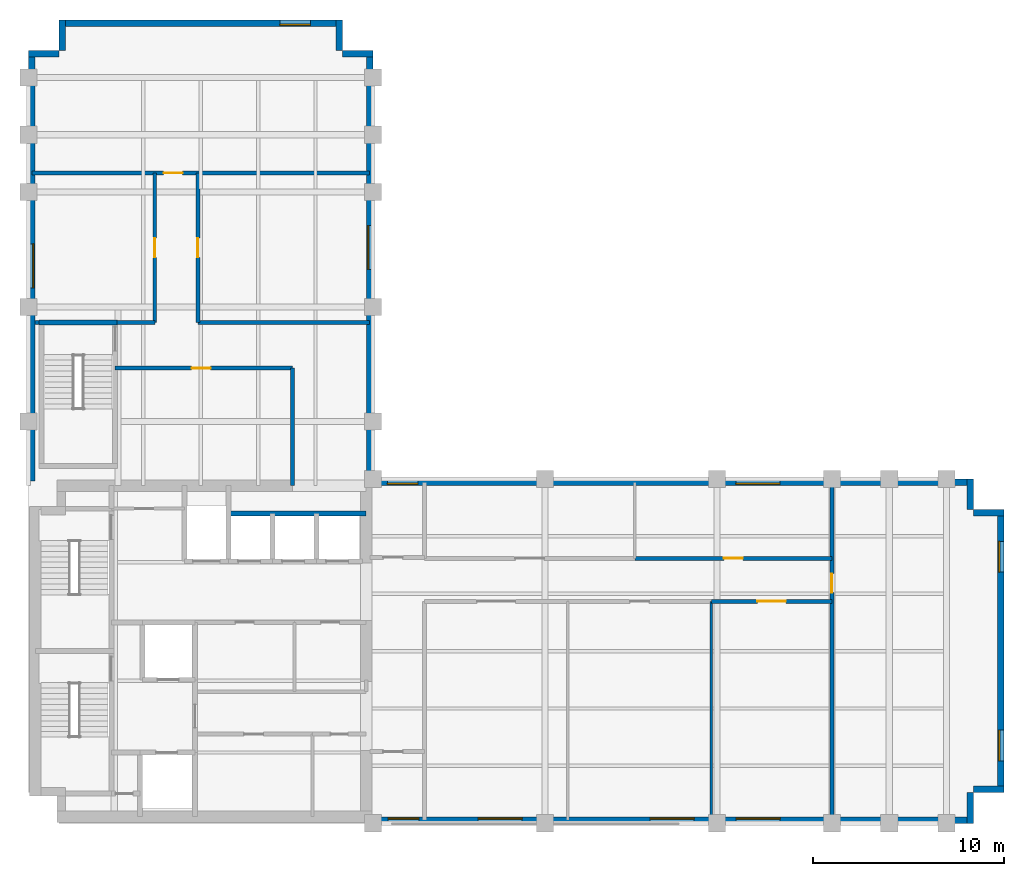
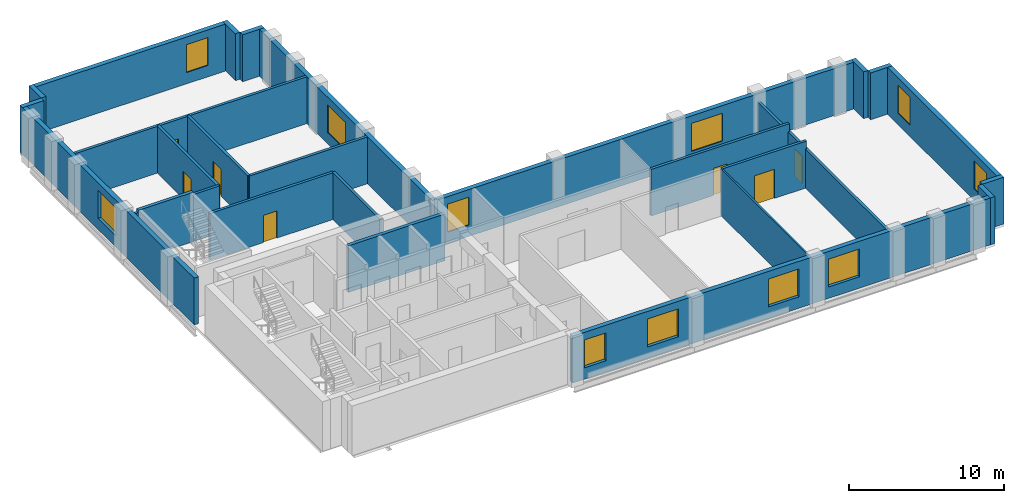
# One storey, part 4 of 6: 28 walls, 11 windows, 7 doors, 18 openings.
"""IFC4 building model written with IfcOpenShell, lengths in metres."""

from ifc_helpers import new_model, si_unit, direction, frame, frame_2d, origin, place, context, subcontext, project, spatial, rectangle, extrude, material, layer, layer_set, type_object, element, fill, save


model = new_model("IFC4")

# Units and contexts
model_context = context("Model", 3, precision=1e-05, world=origin(), true_north=direction((0.0, 1.0)))
body_context = subcontext(model_context, "Body", "Model", "MODEL_VIEW")
ifc_project = project(units=[si_unit("LENGTHUNIT", "METRE"), si_unit("AREAUNIT", "SQUARE_METRE"), si_unit("VOLUMEUNIT", "CUBIC_METRE"), si_unit("PLANEANGLEUNIT", "RADIAN"), si_unit("MASSUNIT", "GRAM", prefix="KILO")], contexts=[model_context])

# Site, building, storey
site_placement = place(None, origin())
site = spatial("IfcSite", under=ifc_project, at=site_placement, CompositionType="ELEMENT")
building_placement = place(site_placement, origin())
building = spatial("IfcBuilding", under=site, at=building_placement, Name="Mawjdan Bourse Tower", CompositionType="ELEMENT")
storey_placement = place(building_placement, frame((0.0, 0.0, 183.89990234375)))
storey = spatial("IfcBuildingStorey", under=building, at=storey_placement, Name="L44", CompositionType="ELEMENT", Elevation=183.89990234375)

# Wall, openings, windows
ifc_material_1 = material(Name="Brick Masonry Buff", Category="masonry")
ifc_layer_1 = layer(ifc_material_1, 0.340087890625)
ifc_layer_set_1 = layer_set([ifc_layer_1], Name="Brick Masonry Buff")
wall_type_1 = type_object("IfcWallType", Name="WL-BRK-SPN-340", PredefinedType="STANDARD", material=ifc_layer_set_1)
wall_1_placement = place(storey_placement, frame((23.89990234375, 3.169921875, 0.0), z_axis=(0.0, 0.0, 1.0), x_axis=(1.0, 0.0, 0.0)))
wall_1 = element("IfcWall", 1, at=wall_1_placement, inside=storey, type_object=wall_type_1, Name="L44 Exterior Brick Wall 1", PredefinedType="STANDARD", context=body_context, shape_type="SweptSolid", body=[
    extrude(rectangle(XDim=31.5, YDim=0.340087890625, at=frame_2d((15.75, 0.0))), origin(), (0.0, 0.0, 1.0), 3.7001953125),
])
opening_1_placement = place(wall_1_placement, frame((5.60009765625, 0.0, 0.89990234375)))
opening_1 = element("IfcOpeningElement", 2, at=opening_1_placement, cuts=wall_1, Name="Opening W-L44-01", PredefinedType="OPENING", context=body_context, shape_type="SweptSolid", body=[
    extrude(rectangle(XDim=2.300048828125, YDim=2.199951171875, at=frame_2d((1.14990234375, 1.10009765625))), frame((0.0, 0.18017578125, 0.0), z_axis=(0.0, -1.0, 0.0), x_axis=(1.0, 0.0, 0.0)), (0.0, 0.0, 1.0), 0.360107421875),
])
opening_2_placement = place(wall_1_placement, frame((14.60009765625, 0.0, 0.89990234375)))
opening_2 = element("IfcOpeningElement", 3, at=opening_2_placement, cuts=wall_1, Name="Opening W-L44-02", PredefinedType="OPENING", context=body_context, shape_type="SweptSolid", body=[
    extrude(rectangle(XDim=2.300048828125, YDim=2.199951171875, at=frame_2d((1.14990234375, 1.10009765625))), frame((0.0, 0.18017578125, 0.0), z_axis=(0.0, -1.0, 0.0), x_axis=(1.0, 0.0, 0.0)), (0.0, 0.0, 1.0), 0.360107421875),
])
opening_3_placement = place(wall_1_placement, frame((19.10009765625, 0.0, 0.89990234375)))
opening_3 = element("IfcOpeningElement", 4, at=opening_3_placement, cuts=wall_1, Name="Opening W-L44-03", PredefinedType="OPENING", context=body_context, shape_type="SweptSolid", body=[
    extrude(rectangle(XDim=2.300048828125, YDim=2.199951171875, at=frame_2d((1.14990234375, 1.10009765625))), frame((0.0, 0.18017578125, 0.0), z_axis=(0.0, -1.0, 0.0), x_axis=(1.0, 0.0, 0.0)), (0.0, 0.0, 1.0), 0.360107421875),
])
opening_4_placement = place(wall_1_placement, frame((0.89990234375, 0.0, 0.89990234375)))
opening_4 = element("IfcOpeningElement", 5, at=opening_4_placement, cuts=wall_1, Name="Opening W-L44-08", PredefinedType="OPENING", context=body_context, shape_type="SweptSolid", body=[
    extrude(rectangle(XDim=1.60009765625, YDim=2.199951171875, at=frame_2d((0.800048828125, 1.10009765625))), frame((0.0, 0.18017578125, 0.0), z_axis=(0.0, -1.0, 0.0), x_axis=(1.0, 0.0, 0.0)), (0.0, 0.0, 1.0), 0.360107421875),
])
ifc_material_2 = material(Name="Solar-Control Clear Double Glazing", Category="glass")
window_type_1 = type_object("IfcWindowType", Name="WN-Z3-1600", PartitioningType="SINGLE_PANEL", PredefinedType="WINDOW", material=ifc_material_2)
window_1_placement = place(opening_4_placement, origin())
window_1 = element("IfcWindow", 6, at=window_1_placement, inside=storey, type_object=window_type_1, Name="L44 Deep-Set Masonry Window W-L44-08", OverallHeight=2.199951171875, OverallWidth=1.60009765625, PartitioningType="SINGLE_PANEL", PredefinedType="WINDOW", context=body_context, shape_type="SweptSolid", body=[
    extrude(rectangle(XDim=1.60009765625, YDim=2.199951171875, at=frame_2d((0.800048828125, 1.10009765625))), frame((0.0, 0.110107421875, 0.0), z_axis=(0.0, -1.0, 0.0), x_axis=(1.0, 0.0, 0.0)), (0.0, 0.0, 1.0), 0.06005859375),
])
fill(opening_4, window_1)
window_type_2 = type_object("IfcWindowType", Name="WN-Z3-2300", PartitioningType="SINGLE_PANEL", PredefinedType="WINDOW", material=ifc_material_2)
window_2_placement = place(opening_1_placement, origin())
window_2 = element("IfcWindow", 7, at=window_2_placement, inside=storey, type_object=window_type_2, Name="L44 Deep-Set Masonry Window W-L44-01", OverallHeight=2.199951171875, OverallWidth=2.300048828125, PartitioningType="SINGLE_PANEL", PredefinedType="WINDOW", context=body_context, shape_type="SweptSolid", body=[
    extrude(rectangle(XDim=2.300048828125, YDim=2.199951171875, at=frame_2d((1.14990234375, 1.10009765625))), frame((0.0, 0.110107421875, 0.0), z_axis=(0.0, -1.0, 0.0), x_axis=(1.0, 0.0, 0.0)), (0.0, 0.0, 1.0), 0.06005859375),
])
fill(opening_1, window_2)
window_3_placement = place(opening_2_placement, origin())
window_3 = element("IfcWindow", 8, at=window_3_placement, inside=storey, type_object=window_type_2, Name="L44 Deep-Set Masonry Window W-L44-02", OverallHeight=2.199951171875, OverallWidth=2.300048828125, PartitioningType="SINGLE_PANEL", PredefinedType="WINDOW", context=body_context, shape_type="SweptSolid", body=[
    extrude(rectangle(XDim=2.300048828125, YDim=2.199951171875, at=frame_2d((1.14990234375, 1.10009765625))), frame((0.0, 0.110107421875, 0.0), z_axis=(0.0, -1.0, 0.0), x_axis=(1.0, 0.0, 0.0)), (0.0, 0.0, 1.0), 0.06005859375),
])
fill(opening_2, window_3)
window_4_placement = place(opening_3_placement, origin())
window_4 = element("IfcWindow", 9, at=window_4_placement, inside=storey, type_object=window_type_2, Name="L44 Deep-Set Masonry Window W-L44-03", OverallHeight=2.199951171875, OverallWidth=2.300048828125, PartitioningType="SINGLE_PANEL", PredefinedType="WINDOW", context=body_context, shape_type="SweptSolid", body=[
    extrude(rectangle(XDim=2.300048828125, YDim=2.199951171875, at=frame_2d((1.14990234375, 1.10009765625))), frame((0.0, 0.110107421875, 0.0), z_axis=(0.0, -1.0, 0.0), x_axis=(1.0, 0.0, 0.0)), (0.0, 0.0, 1.0), 0.06005859375),
])
fill(opening_3, window_4)

# Walls
for number, where, z_axis, x_axis, name in (
    (10, (55.22998046875, 3.0, 0.0), (0.0, 0.0, 1.0), (0.0, 1.0, 0.0), "L44 Exterior Brick Wall 2"),
    (11, (55.39990234375, 4.77001953125, 0.0), (0.0, 0.0, 1.0), (1.0, 0.0, 0.0), "L44 Exterior Brick Wall 3"),
):
    element("IfcWall", number, at=place(storey_placement, frame(where, z_axis=z_axis, x_axis=x_axis)), inside=storey, type_object=wall_type_1, Name=name, PredefinedType="STANDARD", context=body_context, shape_type="SweptSolid", body=[
        extrude(rectangle(XDim=1.60009765625, YDim=0.340087890625, at=frame_2d((0.800048828125, 0.0))), origin(), (0.0, 0.0, 1.0), 3.7001953125),
    ])

# Wall, openings, windows
wall_2_placement = place(storey_placement, frame((56.830078125, 4.60009765625, 0.0), z_axis=(0.0, 0.0, 1.0), x_axis=(0.0, 1.0, 0.0)))
wall_2 = element("IfcWall", 12, at=wall_2_placement, inside=storey, type_object=wall_type_1, Name="L44 Exterior Brick Wall 4", PredefinedType="STANDARD", context=body_context, shape_type="SweptSolid", body=[
    extrude(rectangle(XDim=14.7998046875, YDim=0.340087890625, at=frame_2d((7.39990234375, 0.0))), origin(), (0.0, 0.0, 1.0), 3.7001953125),
])
opening_5_placement = place(wall_2_placement, frame((1.666748046875, 0.0, 0.89990234375)))
opening_5 = element("IfcOpeningElement", 13, at=opening_5_placement, cuts=wall_2, Name="Opening W-L44-04", PredefinedType="OPENING", context=body_context, shape_type="SweptSolid", body=[
    extrude(rectangle(XDim=1.60009765625, YDim=2.199951171875, at=frame_2d((0.800048828125, 1.10009765625))), frame((0.0, 0.18017578125, 0.0), z_axis=(0.0, -1.0, 0.0), x_axis=(1.0, 0.0, 0.0)), (0.0, 0.0, 1.0), 0.360107421875),
])
opening_6_placement = place(wall_2_placement, frame((11.533203125, 0.0, 0.89990234375)))
opening_6 = element("IfcOpeningElement", 14, at=opening_6_placement, cuts=wall_2, Name="Opening W-L44-05", PredefinedType="OPENING", context=body_context, shape_type="SweptSolid", body=[
    extrude(rectangle(XDim=1.60009765625, YDim=2.199951171875, at=frame_2d((0.800048828125, 1.10009765625))), frame((0.0, 0.18017578125, 0.0), z_axis=(0.0, -1.0, 0.0), x_axis=(1.0, 0.0, 0.0)), (0.0, 0.0, 1.0), 0.360107421875),
])
window_5_placement = place(opening_5_placement, origin())
window_5 = element("IfcWindow", 15, at=window_5_placement, inside=storey, type_object=window_type_1, Name="L44 Deep-Set Masonry Window W-L44-04", OverallHeight=2.199951171875, OverallWidth=1.60009765625, PartitioningType="SINGLE_PANEL", PredefinedType="WINDOW", context=body_context, shape_type="SweptSolid", body=[
    extrude(rectangle(XDim=1.60009765625, YDim=2.199951171875, at=frame_2d((0.800048828125, 1.10009765625))), frame((0.0, 0.110107421875, 0.0), z_axis=(0.0, -1.0, 0.0), x_axis=(1.0, 0.0, 0.0)), (0.0, 0.0, 1.0), 0.06005859375),
])
fill(opening_5, window_5)
window_6_placement = place(opening_6_placement, origin())
window_6 = element("IfcWindow", 16, at=window_6_placement, inside=storey, type_object=window_type_1, Name="L44 Deep-Set Masonry Window W-L44-05", OverallHeight=2.199951171875, OverallWidth=1.60009765625, PartitioningType="SINGLE_PANEL", PredefinedType="WINDOW", context=body_context, shape_type="SweptSolid", body=[
    extrude(rectangle(XDim=1.60009765625, YDim=2.199951171875, at=frame_2d((0.800048828125, 1.10009765625))), frame((0.0, 0.110107421875, 0.0), z_axis=(0.0, -1.0, 0.0), x_axis=(1.0, 0.0, 0.0)), (0.0, 0.0, 1.0), 0.06005859375),
])
fill(opening_6, window_6)

# Walls
for number, where, z_axis, x_axis, name in (
    (17, (57.0, 19.22998046875, 0.0), (0.0, 0.0, 1.0), (-1.0, 0.0, 0.0), "L44 Exterior Brick Wall 5"),
    (18, (55.22998046875, 19.39990234375, 0.0), (0.0, 0.0, 1.0), (0.0, 1.0, 0.0), "L44 Exterior Brick Wall 6"),
):
    element("IfcWall", number, at=place(storey_placement, frame(where, z_axis=z_axis, x_axis=x_axis)), inside=storey, type_object=wall_type_1, Name=name, PredefinedType="STANDARD", context=body_context, shape_type="SweptSolid", body=[
        extrude(rectangle(XDim=1.60009765625, YDim=0.340087890625, at=frame_2d((0.800048828125, 0.0))), origin(), (0.0, 0.0, 1.0), 3.7001953125),
    ])

# Wall, openings, windows
wall_3_placement = place(storey_placement, frame((55.39990234375, 20.830078125, 0.0), z_axis=(0.0, 0.0, 1.0), x_axis=(-1.0, 0.0, 0.0)))
wall_3 = element("IfcWall", 19, at=wall_3_placement, inside=storey, type_object=wall_type_1, Name="L44 Exterior Brick Wall 7", PredefinedType="STANDARD", context=body_context, shape_type="SweptSolid", body=[
    extrude(rectangle(XDim=31.39990234375, YDim=0.340087890625, at=frame_2d((15.699951171875, 0.0))), origin(), (0.0, 0.0, 1.0), 3.7001953125),
])
opening_7_placement = place(wall_3_placement, frame((29.0458984375, 0.0, 0.89990234375)))
opening_7 = element("IfcOpeningElement", 20, at=opening_7_placement, cuts=wall_3, Name="Opening W-L44-09", PredefinedType="OPENING", context=body_context, shape_type="SweptSolid", body=[
    extrude(rectangle(XDim=1.60009765625, YDim=2.199951171875, at=frame_2d((0.800048828125, 1.10009765625))), frame((0.0, 0.18017578125, 0.0), z_axis=(0.0, -1.0, 0.0), x_axis=(1.0, 0.0, 0.0)), (0.0, 0.0, 1.0), 0.360107421875),
])
opening_8_placement = place(wall_3_placement, frame((10.124755859375, 0.0, 0.89990234375)))
opening_8 = element("IfcOpeningElement", 21, at=opening_8_placement, cuts=wall_3, Name="Opening W-L44-10", PredefinedType="OPENING", context=body_context, shape_type="SweptSolid", body=[
    extrude(rectangle(XDim=2.300048828125, YDim=2.199951171875, at=frame_2d((1.14990234375, 1.10009765625))), frame((0.0, 0.18017578125, 0.0), z_axis=(0.0, -1.0, 0.0), x_axis=(1.0, 0.0, 0.0)), (0.0, 0.0, 1.0), 0.360107421875),
])
window_7_placement = place(opening_7_placement, origin())
window_7 = element("IfcWindow", 22, at=window_7_placement, inside=storey, type_object=window_type_1, Name="L44 Deep-Set Masonry Window W-L44-09", OverallHeight=2.199951171875, OverallWidth=1.60009765625, PartitioningType="SINGLE_PANEL", PredefinedType="WINDOW", context=body_context, shape_type="SweptSolid", body=[
    extrude(rectangle(XDim=1.60009765625, YDim=2.199951171875, at=frame_2d((0.800048828125, 1.10009765625))), frame((0.0, 0.110107421875, 0.0), z_axis=(0.0, -1.0, 0.0), x_axis=(1.0, 0.0, 0.0)), (0.0, 0.0, 1.0), 0.06005859375),
])
fill(opening_7, window_7)
window_8_placement = place(opening_8_placement, origin())
window_8 = element("IfcWindow", 23, at=window_8_placement, inside=storey, type_object=window_type_2, Name="L44 Deep-Set Masonry Window W-L44-10", OverallHeight=2.199951171875, OverallWidth=2.300048828125, PartitioningType="SINGLE_PANEL", PredefinedType="WINDOW", context=body_context, shape_type="SweptSolid", body=[
    extrude(rectangle(XDim=2.300048828125, YDim=2.199951171875, at=frame_2d((1.14990234375, 1.10009765625))), frame((0.0, 0.110107421875, 0.0), z_axis=(0.0, -1.0, 0.0), x_axis=(1.0, 0.0, 0.0)), (0.0, 0.0, 1.0), 0.06005859375),
])
fill(opening_8, window_8)

# Wall, opening, window
wall_4_placement = place(storey_placement, frame((23.830078125, 21.0, 0.0), z_axis=(0.0, 0.0, 1.0), x_axis=(0.0, 1.0, 0.0)))
wall_4 = element("IfcWall", 24, at=wall_4_placement, inside=storey, type_object=wall_type_1, Name="L44 Exterior Brick Wall 8", PredefinedType="STANDARD", context=body_context, shape_type="SweptSolid", body=[
    extrude(rectangle(XDim=22.39990234375, YDim=0.340087890625, at=frame_2d((11.199951171875, 0.0))), origin(), (0.0, 0.0, 1.0), 3.7001953125),
])
opening_9_placement = place(wall_4_placement, frame((10.954833984375, 0.0, 0.89990234375)))
opening_9 = element("IfcOpeningElement", 25, at=opening_9_placement, cuts=wall_4, Name="Opening W-L44-11", PredefinedType="OPENING", context=body_context, shape_type="SweptSolid", body=[
    extrude(rectangle(XDim=2.300048828125, YDim=2.199951171875, at=frame_2d((1.14990234375, 1.10009765625))), frame((0.0, 0.18017578125, 0.0), z_axis=(0.0, -1.0, 0.0), x_axis=(1.0, 0.0, 0.0)), (0.0, 0.0, 1.0), 0.360107421875),
])
window_9_placement = place(opening_9_placement, origin())
window_9 = element("IfcWindow", 26, at=window_9_placement, inside=storey, type_object=window_type_2, Name="L44 Deep-Set Masonry Window W-L44-11", OverallHeight=2.199951171875, OverallWidth=2.300048828125, PartitioningType="SINGLE_PANEL", PredefinedType="WINDOW", context=body_context, shape_type="SweptSolid", body=[
    extrude(rectangle(XDim=2.300048828125, YDim=2.199951171875, at=frame_2d((1.14990234375, 1.10009765625))), frame((0.0, 0.110107421875, 0.0), z_axis=(0.0, -1.0, 0.0), x_axis=(1.0, 0.0, 0.0)), (0.0, 0.0, 1.0), 0.06005859375),
])
fill(opening_9, window_9)

# Walls
for number, where, z_axis, x_axis, name in (
    (27, (24.0, 43.22998046875, 0.0), (0.0, 0.0, 1.0), (-1.0, 0.0, 0.0), "L44 Exterior Brick Wall 9"),
    (28, (22.22998046875, 43.39990234375, 0.0), (0.0, 0.0, 1.0), (0.0, 1.0, 0.0), "L44 Exterior Brick Wall 10"),
):
    element("IfcWall", number, at=place(storey_placement, frame(where, z_axis=z_axis, x_axis=x_axis)), inside=storey, type_object=wall_type_1, Name=name, PredefinedType="STANDARD", context=body_context, shape_type="SweptSolid", body=[
        extrude(rectangle(XDim=1.60009765625, YDim=0.340087890625, at=frame_2d((0.800048828125, 0.0))), origin(), (0.0, 0.0, 1.0), 3.7001953125),
    ])

# Wall, opening, window
wall_5_placement = place(storey_placement, frame((22.39990234375, 44.830078125, 0.0), z_axis=(0.0, 0.0, 1.0), x_axis=(-1.0, 0.0, 0.0)))
wall_5 = element("IfcWall", 29, at=wall_5_placement, inside=storey, type_object=wall_type_1, Name="L44 Exterior Brick Wall 11", PredefinedType="STANDARD", context=body_context, shape_type="SweptSolid", body=[
    extrude(rectangle(XDim=14.7998046875, YDim=0.340087890625, at=frame_2d((7.39990234375, 0.0))), origin(), (0.0, 0.0, 1.0), 3.7001953125),
])
opening_10_placement = place(wall_5_placement, frame((1.666748046875, 0.0, 0.89990234375)))
opening_10 = element("IfcOpeningElement", 30, at=opening_10_placement, cuts=wall_5, Name="Opening W-L44-06", PredefinedType="OPENING", context=body_context, shape_type="SweptSolid", body=[
    extrude(rectangle(XDim=1.60009765625, YDim=2.199951171875, at=frame_2d((0.800048828125, 1.10009765625))), frame((0.0, 0.18017578125, 0.0), z_axis=(0.0, -1.0, 0.0), x_axis=(1.0, 0.0, 0.0)), (0.0, 0.0, 1.0), 0.360107421875),
])
window_10_placement = place(opening_10_placement, origin())
window_10 = element("IfcWindow", 31, at=window_10_placement, inside=storey, type_object=window_type_1, Name="L44 Deep-Set Masonry Window W-L44-06", OverallHeight=2.199951171875, OverallWidth=1.60009765625, PartitioningType="SINGLE_PANEL", PredefinedType="WINDOW", context=body_context, shape_type="SweptSolid", body=[
    extrude(rectangle(XDim=1.60009765625, YDim=2.199951171875, at=frame_2d((0.800048828125, 1.10009765625))), frame((0.0, 0.110107421875, 0.0), z_axis=(0.0, -1.0, 0.0), x_axis=(1.0, 0.0, 0.0)), (0.0, 0.0, 1.0), 0.06005859375),
])
fill(opening_10, window_10)

# Walls
for number, where, z_axis, x_axis, name in (
    (32, (7.77001953125, 45.0, 0.0), (0.0, 0.0, 1.0), (0.0, -1.0, 0.0), "L44 Exterior Brick Wall 12"),
    (33, (7.60009765625, 43.22998046875, 0.0), (0.0, 0.0, 1.0), (-1.0, 0.0, 0.0), "L44 Exterior Brick Wall 13"),
):
    element("IfcWall", number, at=place(storey_placement, frame(where, z_axis=z_axis, x_axis=x_axis)), inside=storey, type_object=wall_type_1, Name=name, PredefinedType="STANDARD", context=body_context, shape_type="SweptSolid", body=[
        extrude(rectangle(XDim=1.60009765625, YDim=0.340087890625, at=frame_2d((0.800048828125, 0.0))), origin(), (0.0, 0.0, 1.0), 3.7001953125),
    ])

# Wall, opening, window
wall_6_placement = place(storey_placement, frame((6.169921875, 43.39990234375, 0.0), z_axis=(0.0, 0.0, 1.0), x_axis=(0.0, -1.0, 0.0)))
wall_6 = element("IfcWall", 34, at=wall_6_placement, inside=storey, type_object=wall_type_1, Name="L44 Exterior Brick Wall 14", PredefinedType="STANDARD", context=body_context, shape_type="SweptSolid", body=[
    extrude(rectangle(XDim=22.5, YDim=0.340087890625, at=frame_2d((11.25, 0.0))), origin(), (0.0, 0.0, 1.0), 3.7001953125),
])
opening_11_placement = place(wall_6_placement, frame((10.10009765625, 0.0, 0.89990234375)))
opening_11 = element("IfcOpeningElement", 35, at=opening_11_placement, cuts=wall_6, Name="Opening W-L44-07", PredefinedType="OPENING", context=body_context, shape_type="SweptSolid", body=[
    extrude(rectangle(XDim=2.300048828125, YDim=2.199951171875, at=frame_2d((1.14990234375, 1.10009765625))), frame((0.0, 0.18017578125, 0.0), z_axis=(0.0, -1.0, 0.0), x_axis=(1.0, 0.0, 0.0)), (0.0, 0.0, 1.0), 0.360107421875),
])
window_11_placement = place(opening_11_placement, origin())
window_11 = element("IfcWindow", 36, at=window_11_placement, inside=storey, type_object=window_type_2, Name="L44 Deep-Set Masonry Window W-L44-07", OverallHeight=2.199951171875, OverallWidth=2.300048828125, PartitioningType="SINGLE_PANEL", PredefinedType="WINDOW", context=body_context, shape_type="SweptSolid", body=[
    extrude(rectangle(XDim=2.300048828125, YDim=2.199951171875, at=frame_2d((1.14990234375, 1.10009765625))), frame((0.0, 0.110107421875, 0.0), z_axis=(0.0, -1.0, 0.0), x_axis=(1.0, 0.0, 0.0)), (0.0, 0.0, 1.0), 0.06005859375),
])
fill(opening_11, window_11)

# Wall, opening, door
ifc_material_3 = material(Name="Gypsum Fireboard Assembly")
ifc_layer_2 = layer(ifc_material_3, 0.199951171875)
ifc_layer_set_2 = layer_set([ifc_layer_2], Name="Gypsum Fireboard Assembly")
wall_type_2 = type_object("IfcWallType", Name="WL-CMP-200", PredefinedType="PARTITIONING", material=ifc_layer_set_2)
wall_7_placement = place(storey_placement, frame((41.699951171875, 14.60009765625, 0.0), z_axis=(0.0, 0.0, 1.0), x_axis=(1.0, 0.0, 0.0)))
wall_7 = element("IfcWall", 37, at=wall_7_placement, inside=storey, type_object=wall_type_2, Name="L44 Conference Room Corridor Wall", PredefinedType="PARTITIONING", context=body_context, shape_type="SweptSolid", body=[
    extrude(rectangle(XDim=6.300048828125, YDim=0.199951171875, at=frame_2d((3.14990234375, 0.0))), origin(), (0.0, 0.0, 1.0), 3.690185546875),
])
opening_12_placement = place(wall_7_placement, frame((2.39990234375, 0.0, 0.0)))
opening_12 = element("IfcOpeningElement", 38, at=opening_12_placement, cuts=wall_7, Name="Opening D-L44-23", PredefinedType="OPENING", context=body_context, shape_type="SweptSolid", body=[
    extrude(rectangle(XDim=1.5, YDim=2.300048828125, at=frame_2d((0.75, 1.14990234375))), frame((0.0, 0.10986328125, 0.0), z_axis=(0.0, -1.0, 0.0), x_axis=(1.0, 0.0, 0.0)), (0.0, 0.0, 1.0), 0.219970703125),
])
ifc_material_4 = material(Name="Acoustic Glazed Timber", Category="wood")
door_type_1 = type_object("IfcDoorType", Name="DR-CNF-1500", OperationType="DOUBLE_DOOR_SINGLE_SWING", PredefinedType="DOOR", material=ifc_material_4)
door_1_placement = place(opening_12_placement, origin())
door_1 = element("IfcDoor", 39, at=door_1_placement, inside=storey, type_object=door_type_1, Name="L44 Conference Room Door D-L44-23", OperationType="DOUBLE_DOOR_SINGLE_SWING", OverallHeight=2.300048828125, OverallWidth=1.5, PredefinedType="DOOR", context=body_context, shape_type="SweptSolid", body=[
    extrude(rectangle(XDim=1.5, YDim=2.300048828125, at=frame_2d((0.75, 1.14990234375))), frame((0.0, 0.02490234375, 0.0), z_axis=(0.0, -1.0, 0.0), x_axis=(1.0, 0.0, 0.0)), (0.0, 0.0, 1.0), 0.050048828125),
])
fill(opening_12, door_1)

wall_8_placement = place(storey_placement, frame((37.699951171875, 16.85009765625, 0.0), z_axis=(0.0, 0.0, 1.0), x_axis=(1.0, 0.0, 0.0)))
wall_8 = element("IfcWall", 40, at=wall_8_placement, inside=storey, type_object=wall_type_2, Name="L44 Legal Counsel Library Corridor Wall", PredefinedType="PARTITIONING", context=body_context, shape_type="SweptSolid", body=[
    extrude(rectangle(XDim=10.300048828125, YDim=0.199951171875, at=frame_2d((5.14990234375, 0.0))), origin(), (0.0, 0.0, 1.0), 3.690185546875),
])
opening_13_placement = place(wall_8_placement, frame((4.64990234375, 0.0, 0.0)))
opening_13 = element("IfcOpeningElement", 41, at=opening_13_placement, cuts=wall_8, Name="Opening D-L44-25", PredefinedType="OPENING", context=body_context, shape_type="SweptSolid", body=[
    extrude(rectangle(XDim=1.0, YDim=2.14990234375, at=frame_2d((0.5, 1.074951171875))), frame((0.0, 0.10986328125, 0.0), z_axis=(0.0, -1.0, 0.0), x_axis=(1.0, 0.0, 0.0)), (0.0, 0.0, 1.0), 0.219970703125),
])
ifc_material_5 = material(Name="Hardwood Acoustic Leaf", Category="wood")
door_type_2 = type_object("IfcDoorType", Name="DR-OFC-1000", OperationType="NOTDEFINED", PredefinedType="DOOR", material=ifc_material_5)
door_2_placement = place(opening_13_placement, origin())
door_2 = element("IfcDoor", 42, at=door_2_placement, inside=storey, type_object=door_type_2, Name="L44 Legal Counsel Library Door D-L44-25", OperationType="SINGLE_SWING_RIGHT", OverallHeight=2.14990234375, OverallWidth=1.0, PredefinedType="DOOR", context=body_context, shape_type="SweptSolid", body=[
    extrude(rectangle(XDim=1.0, YDim=2.14990234375, at=frame_2d((0.5, 1.074951171875))), frame((0.0, 0.02490234375, 0.0), z_axis=(0.0, -1.0, 0.0), x_axis=(1.0, 0.0, 0.0)), (0.0, 0.0, 1.0), 0.050048828125),
])
fill(opening_13, door_2)

wall_9_placement = place(storey_placement, frame((48.0, 3.179931640625, 0.0), z_axis=(0.0, 0.0, 1.0), x_axis=(0.0, 1.0, 0.0)))
wall_9 = element("IfcWall", 43, at=wall_9_placement, inside=storey, type_object=wall_type_2, Name="L44 East Tip Full Cross Wall", PredefinedType="PARTITIONING", context=body_context, shape_type="SweptSolid", body=[
    extrude(rectangle(XDim=17.64013671875, YDim=0.199951171875, at=frame_2d((8.820068359375, 0.0))), origin(), (0.0, 0.0, 1.0), 3.072998046875),
])
opening_14_placement = place(wall_9_placement, frame((11.875, 0.0, 0.0)))
opening_14 = element("IfcOpeningElement", 44, at=opening_14_placement, cuts=wall_9, Name="Opening D-L44-26", PredefinedType="OPENING", context=body_context, shape_type="SweptSolid", body=[
    extrude(rectangle(XDim=1.0, YDim=2.14990234375, at=frame_2d((0.5, 1.074951171875))), frame((0.0, 0.10986328125, 0.0), z_axis=(0.0, -1.0, 0.0), x_axis=(1.0, 0.0, 0.0)), (0.0, 0.0, 1.0), 0.219970703125),
])
door_3_placement = place(opening_14_placement, origin())
door_3 = element("IfcDoor", 45, at=door_3_placement, inside=storey, type_object=door_type_2, Name="L44 East Tip Hall Door D-L44-26", OperationType="SINGLE_SWING_LEFT", OverallHeight=2.14990234375, OverallWidth=1.0, PredefinedType="DOOR", context=body_context, shape_type="SweptSolid", body=[
    extrude(rectangle(XDim=1.0, YDim=2.14990234375, at=frame_2d((0.5, 1.074951171875))), frame((0.0, 0.02490234375, 0.0), z_axis=(0.0, -1.0, 0.0), x_axis=(1.0, 0.0, 0.0)), (0.0, 0.0, 1.0), 0.050048828125),
])
fill(opening_14, door_3)

wall_10_placement = place(storey_placement, frame((10.52001953125, 26.800048828125, 0.0), z_axis=(0.0, 0.0, 1.0), x_axis=(1.0, 0.0, 0.0)))
wall_10 = element("IfcWall", 46, at=wall_10_placement, inside=storey, type_object=wall_type_2, Name="L44 North Throat North Wall", PredefinedType="PARTITIONING", context=body_context, shape_type="SweptSolid", body=[
    extrude(rectangle(XDim=9.280029296875, YDim=0.199951171875, at=frame_2d((4.64013671875, 0.0))), origin(), (0.0, 0.0, 1.0), 3.690185546875),
])
opening_15_placement = place(wall_10_placement, frame((4.0, 0.0, 0.0)))
opening_15 = element("IfcOpeningElement", 47, at=opening_15_placement, cuts=wall_10, Name="Opening D-L44-27", PredefinedType="OPENING", context=body_context, shape_type="SweptSolid", body=[
    extrude(rectangle(XDim=1.0, YDim=2.14990234375, at=frame_2d((0.5, 1.074951171875))), frame((0.0, 0.10986328125, 0.0), z_axis=(0.0, -1.0, 0.0), x_axis=(1.0, 0.0, 0.0)), (0.0, 0.0, 1.0), 0.219970703125),
])
door_4_placement = place(opening_15_placement, origin())
door_4 = element("IfcDoor", 48, at=door_4_placement, inside=storey, type_object=door_type_2, Name="L44 North Throat Suite Door D-L44-27", OperationType="SINGLE_SWING_RIGHT", OverallHeight=2.14990234375, OverallWidth=1.0, PredefinedType="DOOR", context=body_context, shape_type="SweptSolid", body=[
    extrude(rectangle(XDim=1.0, YDim=2.14990234375, at=frame_2d((0.5, 1.074951171875))), frame((0.0, 0.02490234375, 0.0), z_axis=(0.0, -1.0, 0.0), x_axis=(1.0, 0.0, 0.0)), (0.0, 0.0, 1.0), 0.050048828125),
])
fill(opening_15, door_4)

# Walls
wall_11_placement = place(storey_placement, frame((19.800048828125, 20.64990234375, 0.0), z_axis=(0.0, 0.0, 1.0), x_axis=(0.0, 1.0, 0.0)))
element("IfcWall", 49, at=wall_11_placement, inside=storey, type_object=wall_type_2, Name="L44 North Throat East Wall", PredefinedType="PARTITIONING", context=body_context, shape_type="SweptSolid", body=[
    extrude(rectangle(XDim=6.150146484375, YDim=0.199951171875, at=frame_2d((3.0751953125, 0.0))), origin(), (0.0, 0.0, 1.0), 3.690185546875),
])
wall_12_placement = place(storey_placement, frame((6.340087890625, 29.179931640625, 0.0), z_axis=(0.0, 0.0, 1.0), x_axis=(1.0, 0.0, 0.0)))
element("IfcWall", 50, at=wall_12_placement, inside=storey, type_object=wall_type_2, Name="L44 North West Band ST3 West Return", PredefinedType="PARTITIONING", context=body_context, shape_type="SweptSolid", body=[
    extrude(rectangle(XDim=0.21484375, YDim=0.199951171875, at=frame_2d((0.107421875, 0.0))), origin(), (0.0, 0.0, 1.0), 3.690185546875),
])
wall_13_placement = place(storey_placement, frame((10.6298828125, 29.179931640625, 0.0), z_axis=(0.0, 0.0, 1.0), x_axis=(1.0, 0.0, 0.0)))
element("IfcWall", 51, at=wall_13_placement, inside=storey, type_object=wall_type_2, Name="L44 North West Band South Wall", PredefinedType="PARTITIONING", context=body_context, shape_type="SweptSolid", body=[
    extrude(rectangle(XDim=1.97021484375, YDim=0.199951171875, at=frame_2d((0.985107421875, 0.0))), origin(), (0.0, 0.0, 1.0), 3.690185546875),
])
wall_14_placement = place(storey_placement, frame((14.85009765625, 29.179931640625, 0.0), z_axis=(0.0, 0.0, 1.0), x_axis=(1.0, 0.0, 0.0)))
element("IfcWall", 52, at=wall_14_placement, inside=storey, type_object=wall_type_2, Name="L44 North East Band South Wall", PredefinedType="PARTITIONING", context=body_context, shape_type="SweptSolid", body=[
    extrude(rectangle(XDim=8.969970703125, YDim=0.199951171875, at=frame_2d((4.48486328125, 0.0))), origin(), (0.0, 0.0, 1.0), 3.690185546875),
])

# Wall, opening, door
wall_15_placement = place(storey_placement, frame((12.60009765625, 29.179931640625, 0.0), z_axis=(0.0, 0.0, 1.0), x_axis=(0.0, 1.0, 0.0)))
wall_15 = element("IfcWall", 53, at=wall_15_placement, inside=storey, type_object=wall_type_2, Name="L44 Executive Office Corridor Wall", PredefinedType="PARTITIONING", context=body_context, shape_type="SweptSolid", body=[
    extrude(rectangle(XDim=7.820068359375, YDim=0.199951171875, at=frame_2d((3.91015625, 0.0))), origin(), (0.0, 0.0, 1.0), 3.690185546875),
])
opening_16_placement = place(wall_15_placement, frame((3.409912109375, 0.0, 0.0)))
opening_16 = element("IfcOpeningElement", 54, at=opening_16_placement, cuts=wall_15, Name="Opening D-L44-28", PredefinedType="OPENING", context=body_context, shape_type="SweptSolid", body=[
    extrude(rectangle(XDim=1.0, YDim=2.14990234375, at=frame_2d((0.5, 1.074951171875))), frame((0.0, 0.10986328125, 0.0), z_axis=(0.0, -1.0, 0.0), x_axis=(1.0, 0.0, 0.0)), (0.0, 0.0, 1.0), 0.219970703125),
])
door_5_placement = place(opening_16_placement, origin())
door_5 = element("IfcDoor", 55, at=door_5_placement, inside=storey, type_object=door_type_2, Name="L44 Executive Office Door D-L44-28", OperationType="SINGLE_SWING_LEFT", OverallHeight=2.14990234375, OverallWidth=1.0, PredefinedType="DOOR", context=body_context, shape_type="SweptSolid", body=[
    extrude(rectangle(XDim=1.0, YDim=2.14990234375, at=frame_2d((0.5, 1.074951171875))), frame((0.0, 0.02490234375, 0.0), z_axis=(0.0, -1.0, 0.0), x_axis=(1.0, 0.0, 0.0)), (0.0, 0.0, 1.0), 0.050048828125),
])
fill(opening_16, door_5)

wall_16_placement = place(storey_placement, frame((14.85009765625, 29.179931640625, 0.0), z_axis=(0.0, 0.0, 1.0), x_axis=(0.0, 1.0, 0.0)))
wall_16 = element("IfcWall", 56, at=wall_16_placement, inside=storey, type_object=wall_type_2, Name="L44 Legal Counsel Library Corridor Wall", PredefinedType="PARTITIONING", context=body_context, shape_type="SweptSolid", body=[
    extrude(rectangle(XDim=7.820068359375, YDim=0.199951171875, at=frame_2d((3.91015625, 0.0))), origin(), (0.0, 0.0, 1.0), 3.690185546875),
])
opening_17_placement = place(wall_16_placement, frame((3.409912109375, 0.0, 0.0)))
opening_17 = element("IfcOpeningElement", 57, at=opening_17_placement, cuts=wall_16, Name="Opening D-L44-29", PredefinedType="OPENING", context=body_context, shape_type="SweptSolid", body=[
    extrude(rectangle(XDim=1.0, YDim=2.14990234375, at=frame_2d((0.5, 1.074951171875))), frame((0.0, 0.10986328125, 0.0), z_axis=(0.0, -1.0, 0.0), x_axis=(1.0, 0.0, 0.0)), (0.0, 0.0, 1.0), 0.219970703125),
])
door_6_placement = place(opening_17_placement, origin())
door_6 = element("IfcDoor", 58, at=door_6_placement, inside=storey, type_object=door_type_2, Name="L44 Legal Counsel Library Door D-L44-29", OperationType="SINGLE_SWING_RIGHT", OverallHeight=2.14990234375, OverallWidth=1.0, PredefinedType="DOOR", context=body_context, shape_type="SweptSolid", body=[
    extrude(rectangle(XDim=1.0, YDim=2.14990234375, at=frame_2d((0.5, 1.074951171875))), frame((0.0, 0.02490234375, 0.0), z_axis=(0.0, -1.0, 0.0), x_axis=(1.0, 0.0, 0.0)), (0.0, 0.0, 1.0), 0.050048828125),
])
fill(opening_17, door_6)

wall_17_placement = place(storey_placement, frame((6.179931640625, 37.0, 0.0), z_axis=(0.0, 0.0, 1.0), x_axis=(1.0, 0.0, 0.0)))
wall_17 = element("IfcWall", 59, at=wall_17_placement, inside=storey, type_object=wall_type_2, Name="L44 North Tip Full Cross Wall", PredefinedType="PARTITIONING", context=body_context, shape_type="SweptSolid", body=[
    extrude(rectangle(XDim=17.64013671875, YDim=0.199951171875, at=frame_2d((8.820068359375, 0.0))), origin(), (0.0, 0.0, 1.0), 3.690185546875),
])
opening_18_placement = place(wall_17_placement, frame((6.875, 0.0, 0.0)))
opening_18 = element("IfcOpeningElement", 60, at=opening_18_placement, cuts=wall_17, Name="Opening D-L44-30", PredefinedType="OPENING", context=body_context, shape_type="SweptSolid", body=[
    extrude(rectangle(XDim=1.0, YDim=2.14990234375, at=frame_2d((0.5, 1.074951171875))), frame((0.0, 0.10986328125, 0.0), z_axis=(0.0, -1.0, 0.0), x_axis=(1.0, 0.0, 0.0)), (0.0, 0.0, 1.0), 0.219970703125),
])
door_7_placement = place(opening_18_placement, origin())
door_7 = element("IfcDoor", 61, at=door_7_placement, inside=storey, type_object=door_type_2, Name="L44 North Tip Suite Door D-L44-30", OperationType="SINGLE_SWING_LEFT", OverallHeight=2.14990234375, OverallWidth=1.0, PredefinedType="DOOR", context=body_context, shape_type="SweptSolid", body=[
    extrude(rectangle(XDim=1.0, YDim=2.14990234375, at=frame_2d((0.5, 1.074951171875))), frame((0.0, 0.02490234375, 0.0), z_axis=(0.0, -1.0, 0.0), x_axis=(1.0, 0.0, 0.0)), (0.0, 0.0, 1.0), 0.050048828125),
])
fill(opening_18, door_7)

# Walls
ifc_material_6 = material(Name="Gypsum Partition")
ifc_layer_3 = layer(ifc_material_6, 0.125)
ifc_layer_set_3 = layer_set([ifc_layer_3], Name="Gypsum Partition")
wall_type_3 = type_object("IfcWallType", Name="WL-PRT-125", PredefinedType="PARTITIONING", material=ifc_layer_set_3)
wall_18_placement = place(storey_placement, frame((41.699951171875, 3.179931640625, 0.0), z_axis=(0.0, 0.0, 1.0), x_axis=(0.0, 1.0, 0.0)))
element("IfcWall", 62, at=wall_18_placement, inside=storey, type_object=wall_type_3, Name="L44 Conference Room Partition", PredefinedType="PARTITIONING", context=body_context, shape_type="SweptSolid", body=[
    extrude(rectangle(XDim=11.420166015625, YDim=0.125, at=frame_2d((5.7099609375, 0.0))), origin(), (0.0, 0.0, 1.0), 3.690185546875),
])
ifc_material_7 = material(Name="Concrete C50/60", Category="concrete")
ifc_layer_4 = layer(ifc_material_7, 0.25)
ifc_layer_set_4 = layer_set([ifc_layer_4], Name="Concrete C50/60")
wall_type_4 = type_object("IfcWallType", Name="WL-SHFT-250", PredefinedType="PARTITIONING", material=ifc_layer_set_4)
wall_19_placement = place(storey_placement, frame((16.449951171875, 19.199951171875, 0.0), z_axis=(0.0, 0.0, 1.0), x_axis=(1.0, 0.0, 0.0)))
element("IfcWall", 63, at=wall_19_placement, inside=storey, type_object=wall_type_4, Name="L44 PH Bank North Shaft Back Wall", PredefinedType="PARTITIONING", context=body_context, shape_type="SweptSolid", body=[
    extrude(rectangle(XDim=7.199951171875, YDim=0.25, at=frame_2d((3.60009765625, 0.0))), origin(), (0.0, 0.0, 1.0), 3.690185546875),
])
ifc_layer_5 = layer(ifc_material_7, 0.25)
ifc_layer_set_5 = layer_set([ifc_layer_5], Name="Concrete C50/60")
wall_type_5 = type_object("IfcWallType", Name="WL-STRW-250", PredefinedType="SHEAR", material=ifc_layer_set_5)
wall_20_placement = place(storey_placement, frame((6.554931640625, 29.179931640625, 0.0), z_axis=(0.0, 0.0, 1.0), x_axis=(1.0, 0.0, 0.0)))
element("IfcWall", 64, at=wall_20_placement, inside=storey, type_object=wall_type_5, Name="L44 ST3 North Shaft Wall", PredefinedType="SHEAR", context=body_context, shape_type="SweptSolid", body=[
    extrude(rectangle(XDim=4.090087890625, YDim=0.25, at=frame_2d((2.044921875, 0.0))), origin(), (0.0, 0.0, 1.0), 3.900146484375),
])

save(model, "model.ifc")
